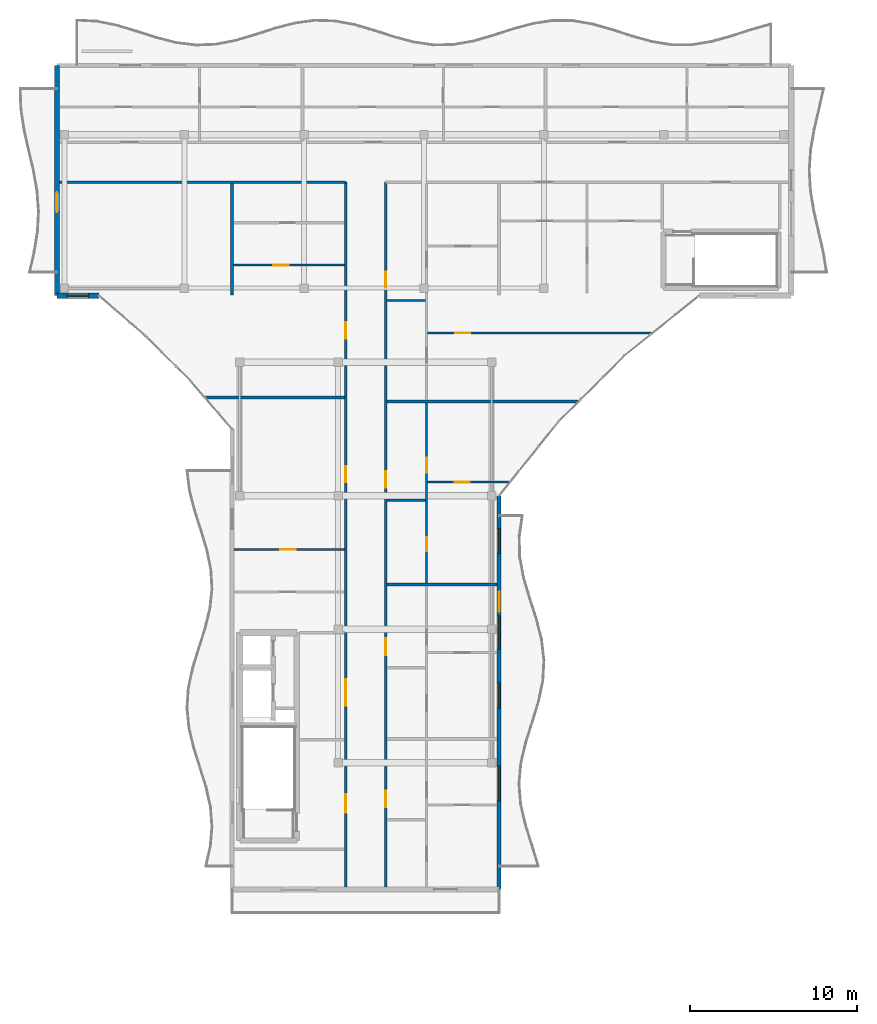
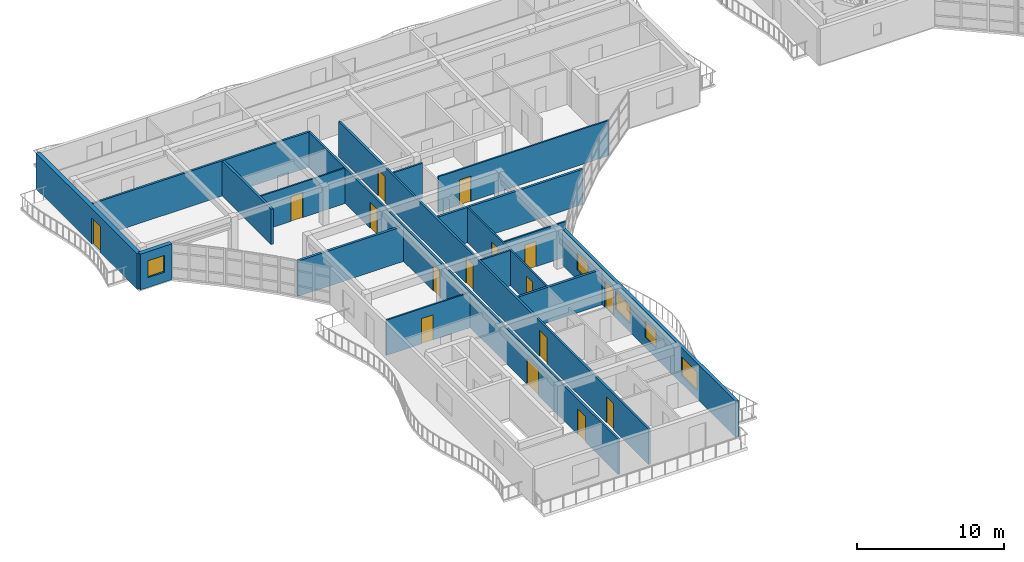
# One storey, part 16 of 30: 17 walls, 16 doors, 5 windows, 21 openings.
"""IFC4 building model written with IfcOpenShell, lengths in metres."""

from ifc_helpers import new_model, si_unit, direction, frame, frame_2d, origin, place, context, subcontext, project, spatial, rectangle, extrude, material, layer, layer_set, type_object, element, fill, save


model = new_model("IFC4")

# Units and contexts
model_context = context("Model", 3, precision=1e-05, world=origin(), true_north=direction((0.0, 1.0)))
body_context = subcontext(model_context, "Body", "Model", "MODEL_VIEW")
ifc_project = project(units=[si_unit("LENGTHUNIT", "METRE"), si_unit("AREAUNIT", "SQUARE_METRE"), si_unit("VOLUMEUNIT", "CUBIC_METRE"), si_unit("PLANEANGLEUNIT", "RADIAN"), si_unit("MASSUNIT", "GRAM", prefix="KILO")], contexts=[model_context])

# Site, building, storey
site_placement = place(None, origin())
site = spatial("IfcSite", under=ifc_project, at=site_placement, CompositionType="ELEMENT")
building_placement = place(site_placement, origin())
building = spatial("IfcBuilding", under=site, at=building_placement, Name="Keldmere Railside Commons", CompositionType="ELEMENT")
storey_placement = place(building_placement, frame((0.0, 0.0, 36.159912109375)))
storey = spatial("IfcBuildingStorey", under=building, at=storey_placement, Name="L11", CompositionType="ELEMENT", Elevation=36.159912109375)

# Walls
ifc_material_1 = material(Name="Acoustic Gypsum Board Partition", Category="gypsum")
ifc_layer_1 = layer(ifc_material_1, 0.179931640625, Name="Acoustic Demising Partition 180")
ifc_layer_set_1 = layer_set([ifc_layer_1], Name="Acoustic Gypsum Board Partition")
wall_type_1 = type_object("IfcWallType", Name="Acoustic Demising Partition 180", PredefinedType="PARTITIONING", material=ifc_layer_set_1)
wall_1_placement = place(storey_placement, frame((104.0, 100.050048828125, 0.0), z_axis=(0.0, 0.0, 1.0), x_axis=(0.0, 1.0, 0.0)))
element("IfcWall", 1, at=wall_1_placement, inside=storey, type_object=wall_type_1, Name="IW-1 IW-L11-1363", PredefinedType="PARTITIONING", context=body_context, shape_type="SweptSolid", body=[
    extrude(rectangle(XDim=6.669921875, YDim=0.179931640625, at=frame_2d((3.3349609375, 0.0))), origin(), (0.0, 0.0, 1.0), 2.93505859375),
])
wall_2_placement = place(storey_placement, frame((113.280029296875, 82.68994140625, 0.0), z_axis=(0.0, 0.0, 1.0), x_axis=(1.0, 0.0, 0.0)))
element("IfcWall", 2, at=wall_2_placement, inside=storey, type_object=wall_type_1, Name="IW-1 IW-L11-1367", PredefinedType="PARTITIONING", context=body_context, shape_type="SweptSolid", body=[
    extrude(rectangle(XDim=6.599853515625, YDim=0.179931640625, at=frame_2d((3.2998046875, 0.0))), origin(), (0.0, 0.0, 1.0), 2.93505859375),
])
wall_3_placement = place(storey_placement, frame((113.280029296875, 93.64990234375, 0.0), z_axis=(0.0, 0.0, 1.0), x_axis=(1.0, 0.0, 0.0)))
element("IfcWall", 3, at=wall_3_placement, inside=storey, type_object=wall_type_1, Name="IW-1 IW-L11-1368", PredefinedType="PARTITIONING", context=body_context, shape_type="SweptSolid", body=[
    extrude(rectangle(XDim=11.437255859375, YDim=0.179931640625, at=frame_2d((5.71875, 0.0))), origin(), (0.0, 0.0, 1.0), 2.93505859375),
])
wall_4_placement = place(storey_placement, frame((102.410888671875, 93.89990234375, 0.0), z_axis=(0.0, 0.0, 1.0), x_axis=(1.0, 0.0, 0.0)))
element("IfcWall", 4, at=wall_4_placement, inside=storey, type_object=wall_type_1, Name="IW-1 IW-L11-1396", PredefinedType="PARTITIONING", context=body_context, shape_type="SweptSolid", body=[
    extrude(rectangle(XDim=8.30908203125, YDim=0.179931640625, at=frame_2d((4.154541015625, 0.0))), origin(), (0.0, 0.0, 1.0), 2.93505859375),
])

# Wall, openings, doors
ifc_layer_2 = layer(ifc_material_1, 0.1201171875, Name="Apartment Interior Partition 120")
ifc_layer_set_2 = layer_set([ifc_layer_2], Name="Acoustic Gypsum Board Partition")
wall_type_2 = type_object("IfcWallType", Name="Apartment Interior Partition 120", PredefinedType="PARTITIONING", material=ifc_layer_set_2)
wall_5_placement = place(storey_placement, frame((115.659912109375, 82.780029296875, 0.0), z_axis=(0.0, 0.0, 1.0), x_axis=(0.0, 1.0, 0.0)))
wall_5 = element("IfcWall", 5, at=wall_5_placement, inside=storey, type_object=wall_type_2, Name="IW-4 IW-L11-1375", PredefinedType="PARTITIONING", context=body_context, shape_type="SweptSolid", body=[
    extrude(rectangle(XDim=10.780029296875, YDim=0.1201171875, at=frame_2d((5.39013671875, 0.0))), origin(), (0.0, 0.0, 1.0), 2.93505859375),
])
opening_1_placement = place(wall_5_placement, frame((1.884765625, 0.0, 0.0)))
opening_1 = element("IfcOpeningElement", 6, at=opening_1_placement, cuts=wall_5, Name="Opening ID-04", PredefinedType="OPENING", context=body_context, shape_type="SweptSolid", body=[
    extrude(rectangle(XDim=0.860107421875, YDim=2.10009765625, at=frame_2d((0.43017578125, 1.050048828125))), frame((0.0, 0.070068359375, 0.0), z_axis=(0.0, -1.0, 0.0), x_axis=(1.0, 0.0, 0.0)), (0.0, 0.0, 1.0), 0.14013671875),
])
opening_2_placement = place(wall_5_placement, frame((6.589599609375, 0.0, 0.0)))
opening_2 = element("IfcOpeningElement", 7, at=opening_2_placement, cuts=wall_5, Name="Opening ID-03", PredefinedType="OPENING", context=body_context, shape_type="SweptSolid", body=[
    extrude(rectangle(XDim=0.919921875, YDim=2.10009765625, at=frame_2d((0.4599609375, 1.050048828125))), frame((0.0, 0.070068359375, 0.0), z_axis=(0.0, -1.0, 0.0), x_axis=(1.0, 0.0, 0.0)), (0.0, 0.0, 1.0), 0.14013671875),
])
ifc_material_2 = material(Name="Engineered Oak Timber", Category="wood")
door_type_1 = type_object("IfcDoorType", Name="Apartment Bathroom Door 860x2100", OperationType="NOTDEFINED", PredefinedType="DOOR", material=ifc_material_2)
door_1_placement = place(opening_1_placement, origin())
door_1 = element("IfcDoor", 8, at=door_1_placement, inside=storey, type_object=door_type_1, Name="ID-04 IDR-L11-1226", OperationType="SINGLE_SWING_RIGHT", OverallHeight=2.10009765625, OverallWidth=0.860107421875, PredefinedType="DOOR", context=body_context, shape_type="SweptSolid", body=[
    extrude(rectangle(XDim=0.860107421875, YDim=2.10009765625, at=frame_2d((0.43017578125, 1.050048828125))), frame((0.0, 0.02490234375, 0.0), z_axis=(0.0, -1.0, 0.0), x_axis=(1.0, 0.0, 0.0)), (0.0, 0.0, 1.0), 0.050048828125),
])
fill(opening_1, door_1)
door_type_2 = type_object("IfcDoorType", Name="Kitchen Pocket-Frame Swing Door 920x2100", OperationType="NOTDEFINED", PredefinedType="DOOR", material=ifc_material_2)
door_2_placement = place(opening_2_placement, origin())
door_2 = element("IfcDoor", 9, at=door_2_placement, inside=storey, type_object=door_type_2, Name="ID-03 IDR-L11-1227", OperationType="SINGLE_SWING_LEFT", OverallHeight=2.10009765625, OverallWidth=0.919921875, PredefinedType="DOOR", context=body_context, shape_type="SweptSolid", body=[
    extrude(rectangle(XDim=0.919921875, YDim=2.10009765625, at=frame_2d((0.4599609375, 1.050048828125))), frame((0.0, 0.02490234375, 0.0), z_axis=(0.0, -1.0, 0.0), x_axis=(1.0, 0.0, 0.0)), (0.0, 0.0, 1.0), 0.050048828125),
])
fill(opening_2, door_2)

# Wall, opening, door
wall_6_placement = place(storey_placement, frame((115.719970703125, 88.820068359375, 0.0), z_axis=(0.0, 0.0, 1.0), x_axis=(1.0, 0.0, 0.0)))
wall_6 = element("IfcWall", 10, at=wall_6_placement, inside=storey, type_object=wall_type_2, Name="IW-4 IW-L11-1377", PredefinedType="PARTITIONING", context=body_context, shape_type="SweptSolid", body=[
    extrude(rectangle(XDim=4.88671875, YDim=0.1201171875, at=frame_2d((2.443359375, 0.0))), origin(), (0.0, 0.0, 1.0), 2.93505859375),
])
opening_3_placement = place(wall_6_placement, frame((1.6298828125, 0.0, 0.0)))
opening_3 = element("IfcOpeningElement", 11, at=opening_3_placement, cuts=wall_6, Name="Opening ID-01", PredefinedType="OPENING", context=body_context, shape_type="SweptSolid", body=[
    extrude(rectangle(XDim=0.89990234375, YDim=2.10009765625, at=frame_2d((0.449951171875, 1.050048828125))), frame((0.0, 0.070068359375, 0.0), z_axis=(0.0, -1.0, 0.0), x_axis=(1.0, 0.0, 0.0)), (0.0, 0.0, 1.0), 0.14013671875),
])
door_type_3 = type_object("IfcDoorType", Name="Primary Bedroom Door 900x2100", OperationType="NOTDEFINED", PredefinedType="DOOR", material=ifc_material_2)
door_3_placement = place(opening_3_placement, origin())
door_3 = element("IfcDoor", 12, at=door_3_placement, inside=storey, type_object=door_type_3, Name="ID-01 IDR-L11-1229", OperationType="SINGLE_SWING_LEFT", OverallHeight=2.10009765625, OverallWidth=0.89990234375, PredefinedType="DOOR", context=body_context, shape_type="SweptSolid", body=[
    extrude(rectangle(XDim=0.89990234375, YDim=2.10009765625, at=frame_2d((0.449951171875, 1.050048828125))), frame((0.0, 0.02490234375, 0.0), z_axis=(0.0, -1.0, 0.0), x_axis=(1.0, 0.0, 0.0)), (0.0, 0.0, 1.0), 0.050048828125),
])
fill(opening_3, door_3)

wall_7_placement = place(storey_placement, frame((115.719970703125, 97.760009765625, 0.0), z_axis=(0.0, 0.0, 1.0), x_axis=(1.0, 0.0, 0.0)))
wall_7 = element("IfcWall", 13, at=wall_7_placement, inside=storey, type_object=wall_type_2, Name="IW-4 IW-L11-1380", PredefinedType="PARTITIONING", context=body_context, shape_type="SweptSolid", body=[
    extrude(rectangle(XDim=13.424072265625, YDim=0.1201171875, at=frame_2d((6.7119140625, 0.0))), origin(), (0.0, 0.0, 1.0), 2.93505859375),
])
opening_4_placement = place(wall_7_placement, frame((1.64501953125, 0.0, 0.0)))
opening_4 = element("IfcOpeningElement", 14, at=opening_4_placement, cuts=wall_7, Name="Opening ID-01", PredefinedType="OPENING", context=body_context, shape_type="SweptSolid", body=[
    extrude(rectangle(XDim=0.89990234375, YDim=2.10009765625, at=frame_2d((0.449951171875, 1.050048828125))), frame((0.0, 0.070068359375, 0.0), z_axis=(0.0, -1.0, 0.0), x_axis=(1.0, 0.0, 0.0)), (0.0, 0.0, 1.0), 0.14013671875),
])
door_4_placement = place(opening_4_placement, origin())
door_4 = element("IfcDoor", 15, at=door_4_placement, inside=storey, type_object=door_type_3, Name="ID-01 IDR-L11-1233", OperationType="SINGLE_SWING_LEFT", OverallHeight=2.10009765625, OverallWidth=0.89990234375, PredefinedType="DOOR", context=body_context, shape_type="SweptSolid", body=[
    extrude(rectangle(XDim=0.89990234375, YDim=2.10009765625, at=frame_2d((0.449951171875, 1.050048828125))), frame((0.0, 0.02490234375, 0.0), z_axis=(0.0, -1.0, 0.0), x_axis=(1.0, 0.0, 0.0)), (0.0, 0.0, 1.0), 0.050048828125),
])
fill(opening_4, door_4)

wall_8_placement = place(storey_placement, frame((104.1201171875, 84.780029296875, 0.0), z_axis=(0.0, 0.0, 1.0), x_axis=(1.0, 0.0, 0.0)))
wall_8 = element("IfcWall", 16, at=wall_8_placement, inside=storey, type_object=wall_type_2, Name="IW-4 IW-L11-1398", PredefinedType="PARTITIONING", context=body_context, shape_type="SweptSolid", body=[
    extrude(rectangle(XDim=6.599853515625, YDim=0.1201171875, at=frame_2d((3.2998046875, 0.0))), origin(), (0.0, 0.0, 1.0), 2.93505859375),
])
opening_5_placement = place(wall_8_placement, frame((2.77197265625, 0.0, 0.0)))
opening_5 = element("IfcOpeningElement", 17, at=opening_5_placement, cuts=wall_8, Name="Opening ID-03", PredefinedType="OPENING", context=body_context, shape_type="SweptSolid", body=[
    extrude(rectangle(XDim=0.919921875, YDim=2.10009765625, at=frame_2d((0.4599609375, 1.050048828125))), frame((0.0, 0.070068359375, 0.0), z_axis=(0.0, -1.0, 0.0), x_axis=(1.0, 0.0, 0.0)), (0.0, 0.0, 1.0), 0.14013671875),
])
door_5_placement = place(opening_5_placement, origin())
door_5 = element("IfcDoor", 18, at=door_5_placement, inside=storey, type_object=door_type_2, Name="ID-03 IDR-L11-1252", OperationType="SINGLE_SWING_RIGHT", OverallHeight=2.10009765625, OverallWidth=0.919921875, PredefinedType="DOOR", context=body_context, shape_type="SweptSolid", body=[
    extrude(rectangle(XDim=0.919921875, YDim=2.10009765625, at=frame_2d((0.4599609375, 1.050048828125))), frame((0.0, 0.02490234375, 0.0), z_axis=(0.0, -1.0, 0.0), x_axis=(1.0, 0.0, 0.0)), (0.0, 0.0, 1.0), 0.050048828125),
])
fill(opening_5, door_5)

wall_9_placement = place(storey_placement, frame((104.090087890625, 101.820068359375, 0.0), z_axis=(0.0, 0.0, 1.0), x_axis=(1.0, 0.0, 0.0)))
wall_9 = element("IfcWall", 19, at=wall_9_placement, inside=storey, type_object=wall_type_2, Name="IW-4 IW-L11-1399", PredefinedType="PARTITIONING", context=body_context, shape_type="SweptSolid", body=[
    extrude(rectangle(XDim=6.6298828125, YDim=0.1201171875, at=frame_2d((3.31494140625, 0.0))), origin(), (0.0, 0.0, 1.0), 2.93505859375),
])
opening_6_placement = place(wall_9_placement, frame((2.384521484375, 0.0, 0.0)))
opening_6 = element("IfcOpeningElement", 20, at=opening_6_placement, cuts=wall_9, Name="Opening ID-03", PredefinedType="OPENING", context=body_context, shape_type="SweptSolid", body=[
    extrude(rectangle(XDim=0.919921875, YDim=2.10009765625, at=frame_2d((0.4599609375, 1.050048828125))), frame((0.0, 0.070068359375, 0.0), z_axis=(0.0, -1.0, 0.0), x_axis=(1.0, 0.0, 0.0)), (0.0, 0.0, 1.0), 0.14013671875),
])
door_6_placement = place(opening_6_placement, origin())
door_6 = element("IfcDoor", 21, at=door_6_placement, inside=storey, type_object=door_type_2, Name="ID-03 IDR-L11-1255", OperationType="SINGLE_SWING_LEFT", OverallHeight=2.10009765625, OverallWidth=0.919921875, PredefinedType="DOOR", context=body_context, shape_type="SweptSolid", body=[
    extrude(rectangle(XDim=0.919921875, YDim=2.10009765625, at=frame_2d((0.4599609375, 1.050048828125))), frame((0.0, 0.02490234375, 0.0), z_axis=(0.0, -1.0, 0.0), x_axis=(1.0, 0.0, 0.0)), (0.0, 0.0, 1.0), 0.050048828125),
])
fill(opening_6, door_6)

# Wall, openings, doors
ifc_layer_3 = layer(ifc_material_1, 0.159912109375, Name="Corridor Fire Partition 160")
ifc_layer_set_3 = layer_set([ifc_layer_3], Name="Acoustic Gypsum Board Partition")
wall_type_3 = type_object("IfcWallType", Name="Corridor Fire Partition 160", PredefinedType="PARTITIONING", material=ifc_layer_set_3)
wall_10_placement = place(storey_placement, frame((110.800048828125, 64.56005859375, 0.0), z_axis=(0.0, 0.0, 1.0), x_axis=(0.0, 1.0, 0.0)))
wall_10 = element("IfcWall", 22, at=wall_10_placement, inside=storey, type_object=wall_type_3, Name="IW-2 IW-L11-1357", PredefinedType="PARTITIONING", context=body_context, shape_type="SweptSolid", body=[
    extrude(rectangle(XDim=42.239990234375, YDim=0.159912109375, at=frame_2d((21.1201171875, 0.0))), origin(), (0.0, 0.0, 1.0), 2.93505859375),
])
opening_7_placement = place(wall_10_placement, frame((4.43994140625, 0.0, 0.0)))
opening_7 = element("IfcOpeningElement", 23, at=opening_7_placement, cuts=wall_10, Name="Opening FD-2", PredefinedType="OPENING", context=body_context, shape_type="SweptSolid", body=[
    extrude(rectangle(XDim=1.10009765625, YDim=2.14990234375, at=frame_2d((0.550048828125, 1.074951171875))), frame((0.0, 0.08984375, 0.0), z_axis=(0.0, -1.0, 0.0), x_axis=(1.0, 0.0, 0.0)), (0.0, 0.0, 1.0), 0.179931640625),
])
opening_8_placement = place(wall_10_placement, frame((10.840087890625, 0.0, 0.0)))
opening_8 = element("IfcOpeningElement", 24, at=opening_8_placement, cuts=wall_10, Name="Opening FD-4", PredefinedType="OPENING", context=body_context, shape_type="SweptSolid", body=[
    extrude(rectangle(XDim=1.60009765625, YDim=2.14990234375, at=frame_2d((0.800048828125, 1.074951171875))), frame((0.0, 0.08984375, 0.0), z_axis=(0.0, -1.0, 0.0), x_axis=(1.0, 0.0, 0.0)), (0.0, 0.0, 1.0), 0.179931640625),
])
opening_9_placement = place(wall_10_placement, frame((24.2451171875, 0.0, 0.0)))
opening_9 = element("IfcOpeningElement", 25, at=opening_9_placement, cuts=wall_10, Name="Opening FD-7", PredefinedType="OPENING", context=body_context, shape_type="SweptSolid", body=[
    extrude(rectangle(XDim=0.97998046875, YDim=2.14990234375, at=frame_2d((0.489990234375, 1.074951171875))), frame((0.0, 0.08984375, 0.0), z_axis=(0.0, -1.0, 0.0), x_axis=(1.0, 0.0, 0.0)), (0.0, 0.0, 1.0), 0.179931640625),
])
opening_10_placement = place(wall_10_placement, frame((32.85498046875, 0.0, 0.0)))
opening_10 = element("IfcOpeningElement", 26, at=opening_10_placement, cuts=wall_10, Name="Opening FD-7", PredefinedType="OPENING", context=body_context, shape_type="SweptSolid", body=[
    extrude(rectangle(XDim=0.97998046875, YDim=2.14990234375, at=frame_2d((0.489990234375, 1.074951171875))), frame((0.0, 0.08984375, 0.0), z_axis=(0.0, -1.0, 0.0), x_axis=(1.0, 0.0, 0.0)), (0.0, 0.0, 1.0), 0.179931640625),
])
door_type_4 = type_object("IfcDoorType", Name="Apartment Entrance Acoustic Fire Door 980x2150", OperationType="NOTDEFINED", PredefinedType="DOOR", material=ifc_material_2)
door_7_placement = place(opening_9_placement, origin())
door_7 = element("IfcDoor", 27, at=door_7_placement, inside=storey, type_object=door_type_4, Name="FD-7 IDR-L11-1253", OperationType="SINGLE_SWING_LEFT", OverallHeight=2.14990234375, OverallWidth=0.97998046875, PredefinedType="DOOR", context=body_context, shape_type="SweptSolid", body=[
    extrude(rectangle(XDim=0.97998046875, YDim=2.14990234375, at=frame_2d((0.489990234375, 1.074951171875))), frame((0.0, 0.02490234375, 0.0), z_axis=(0.0, -1.0, 0.0), x_axis=(1.0, 0.0, 0.0)), (0.0, 0.0, 1.0), 0.050048828125),
])
fill(opening_9, door_7)
door_8_placement = place(opening_10_placement, origin())
door_8 = element("IfcDoor", 28, at=door_8_placement, inside=storey, type_object=door_type_4, Name="FD-7 IDR-L11-1256", OperationType="SINGLE_SWING_RIGHT", OverallHeight=2.14990234375, OverallWidth=0.97998046875, PredefinedType="DOOR", context=body_context, shape_type="SweptSolid", body=[
    extrude(rectangle(XDim=0.97998046875, YDim=2.14990234375, at=frame_2d((0.489990234375, 1.074951171875))), frame((0.0, 0.02490234375, 0.0), z_axis=(0.0, -1.0, 0.0), x_axis=(1.0, 0.0, 0.0)), (0.0, 0.0, 1.0), 0.050048828125),
])
fill(opening_10, door_8)
ifc_material_3 = material(Name="Steel F-24 (S235)", Category="steel")
door_type_5 = type_object("IfcDoorType", Name="Corridor Cross-Compartment Double Fire Door 1600x2150", OperationType="DOUBLE_DOOR_SINGLE_SWING", PredefinedType="DOOR", material=ifc_material_3)
door_9_placement = place(opening_8_placement, origin())
door_9 = element("IfcDoor", 29, at=door_9_placement, inside=storey, type_object=door_type_5, Name="FD-4 IDR-L11-1217", OperationType="DOUBLE_DOOR_SINGLE_SWING", OverallHeight=2.14990234375, OverallWidth=1.60009765625, PredefinedType="DOOR", context=body_context, shape_type="SweptSolid", body=[
    extrude(rectangle(XDim=1.60009765625, YDim=2.14990234375, at=frame_2d((0.800048828125, 1.074951171875))), frame((0.0, 0.02490234375, 0.0), z_axis=(0.0, -1.0, 0.0), x_axis=(1.0, 0.0, 0.0)), (0.0, 0.0, 1.0), 0.050048828125),
])
fill(opening_8, door_9)
door_type_6 = type_object("IfcDoorType", Name="Firefighting Lobby Fire Door 1100x2150", OperationType="NOTDEFINED", PredefinedType="DOOR", material=ifc_material_3)
door_10_placement = place(opening_7_placement, origin())
door_10 = element("IfcDoor", 30, at=door_10_placement, inside=storey, type_object=door_type_6, Name="FD-2 IDR-L11-1216", OperationType="SINGLE_SWING_RIGHT", OverallHeight=2.14990234375, OverallWidth=1.10009765625, PredefinedType="DOOR", context=body_context, shape_type="SweptSolid", body=[
    extrude(rectangle(XDim=1.10009765625, YDim=2.14990234375, at=frame_2d((0.550048828125, 1.074951171875))), frame((0.0, 0.02490234375, 0.0), z_axis=(0.0, -1.0, 0.0), x_axis=(1.0, 0.0, 0.0)), (0.0, 0.0, 1.0), 0.050048828125),
])
fill(opening_7, door_10)

wall_11_placement = place(storey_placement, frame((113.199951171875, 64.56005859375, 0.0), z_axis=(0.0, 0.0, 1.0), x_axis=(0.0, 1.0, 0.0)))
wall_11 = element("IfcWall", 31, at=wall_11_placement, inside=storey, type_object=wall_type_3, Name="IW-2 IW-L11-1358", PredefinedType="PARTITIONING", context=body_context, shape_type="SweptSolid", body=[
    extrude(rectangle(XDim=42.239990234375, YDim=0.159912109375, at=frame_2d((21.1201171875, 0.0))), origin(), (0.0, 0.0, 1.0), 2.93505859375),
])
opening_11_placement = place(wall_11_placement, frame((4.780029296875, 0.0, 0.0)))
opening_11 = element("IfcOpeningElement", 32, at=opening_11_placement, cuts=wall_11, Name="Opening FD-7", PredefinedType="OPENING", context=body_context, shape_type="SweptSolid", body=[
    extrude(rectangle(XDim=0.97998046875, YDim=2.14990234375, at=frame_2d((0.489990234375, 1.074951171875))), frame((0.0, 0.08984375, 0.0), z_axis=(0.0, -1.0, 0.0), x_axis=(1.0, 0.0, 0.0)), (0.0, 0.0, 1.0), 0.179931640625),
])
opening_12_placement = place(wall_11_placement, frame((13.8798828125, 0.0, 0.0)))
opening_12 = element("IfcOpeningElement", 33, at=opening_12_placement, cuts=wall_11, Name="Opening FD-8", PredefinedType="OPENING", context=body_context, shape_type="SweptSolid", body=[
    extrude(rectangle(XDim=1.02001953125, YDim=2.14990234375, at=frame_2d((0.510009765625, 1.074951171875))), frame((0.0, 0.08984375, 0.0), z_axis=(0.0, -1.0, 0.0), x_axis=(1.0, 0.0, 0.0)), (0.0, 0.0, 1.0), 0.179931640625),
])
opening_13_placement = place(wall_11_placement, frame((23.929931640625, 0.0, 0.0)))
opening_13 = element("IfcOpeningElement", 34, at=opening_13_placement, cuts=wall_11, Name="Opening FD-7", PredefinedType="OPENING", context=body_context, shape_type="SweptSolid", body=[
    extrude(rectangle(XDim=0.97998046875, YDim=2.14990234375, at=frame_2d((0.489990234375, 1.074951171875))), frame((0.0, 0.08984375, 0.0), z_axis=(0.0, -1.0, 0.0), x_axis=(1.0, 0.0, 0.0)), (0.0, 0.0, 1.0), 0.179931640625),
])
opening_14_placement = place(wall_11_placement, frame((35.89990234375, 0.0, 0.0)))
opening_14 = element("IfcOpeningElement", 35, at=opening_14_placement, cuts=wall_11, Name="Opening FD-7", PredefinedType="OPENING", context=body_context, shape_type="SweptSolid", body=[
    extrude(rectangle(XDim=0.97998046875, YDim=2.14990234375, at=frame_2d((0.489990234375, 1.074951171875))), frame((0.0, 0.08984375, 0.0), z_axis=(0.0, -1.0, 0.0), x_axis=(1.0, 0.0, 0.0)), (0.0, 0.0, 1.0), 0.179931640625),
])
door_type_7 = type_object("IfcDoorType", Name="Adaptable Apartment Entrance Fire Door 1020x2150", OperationType="NOTDEFINED", PredefinedType="DOOR", material=ifc_material_2)
door_11_placement = place(opening_12_placement, origin())
door_11 = element("IfcDoor", 36, at=door_11_placement, inside=storey, type_object=door_type_7, Name="FD-8 IDR-L11-1224", OperationType="SINGLE_SWING_RIGHT", OverallHeight=2.14990234375, OverallWidth=1.02001953125, PredefinedType="DOOR", context=body_context, shape_type="SweptSolid", body=[
    extrude(rectangle(XDim=1.02001953125, YDim=2.14990234375, at=frame_2d((0.510009765625, 1.074951171875))), frame((0.0, 0.02490234375, 0.0), z_axis=(0.0, -1.0, 0.0), x_axis=(1.0, 0.0, 0.0)), (0.0, 0.0, 1.0), 0.050048828125),
])
fill(opening_12, door_11)
door_12_placement = place(opening_11_placement, origin())
door_12 = element("IfcDoor", 37, at=door_12_placement, inside=storey, type_object=door_type_4, Name="FD-7 IDR-L11-1220", OperationType="SINGLE_SWING_RIGHT", OverallHeight=2.14990234375, OverallWidth=0.97998046875, PredefinedType="DOOR", context=body_context, shape_type="SweptSolid", body=[
    extrude(rectangle(XDim=0.97998046875, YDim=2.14990234375, at=frame_2d((0.489990234375, 1.074951171875))), frame((0.0, 0.02490234375, 0.0), z_axis=(0.0, -1.0, 0.0), x_axis=(1.0, 0.0, 0.0)), (0.0, 0.0, 1.0), 0.050048828125),
])
fill(opening_11, door_12)
door_13_placement = place(opening_13_placement, origin())
door_13 = element("IfcDoor", 38, at=door_13_placement, inside=storey, type_object=door_type_4, Name="FD-7 IDR-L11-1228", OperationType="SINGLE_SWING_RIGHT", OverallHeight=2.14990234375, OverallWidth=0.97998046875, PredefinedType="DOOR", context=body_context, shape_type="SweptSolid", body=[
    extrude(rectangle(XDim=0.97998046875, YDim=2.14990234375, at=frame_2d((0.489990234375, 1.074951171875))), frame((0.0, 0.02490234375, 0.0), z_axis=(0.0, -1.0, 0.0), x_axis=(1.0, 0.0, 0.0)), (0.0, 0.0, 1.0), 0.050048828125),
])
fill(opening_13, door_13)
door_14_placement = place(opening_14_placement, origin())
door_14 = element("IfcDoor", 39, at=door_14_placement, inside=storey, type_object=door_type_4, Name="FD-7 IDR-L11-1232", OperationType="SINGLE_SWING_RIGHT", OverallHeight=2.14990234375, OverallWidth=0.97998046875, PredefinedType="DOOR", context=body_context, shape_type="SweptSolid", body=[
    extrude(rectangle(XDim=0.97998046875, YDim=2.14990234375, at=frame_2d((0.489990234375, 1.074951171875))), frame((0.0, 0.02490234375, 0.0), z_axis=(0.0, -1.0, 0.0), x_axis=(1.0, 0.0, 0.0)), (0.0, 0.0, 1.0), 0.050048828125),
])
fill(opening_14, door_14)

# Wall
wall_12_placement = place(storey_placement, frame((93.659912109375, 106.800048828125, 0.0), z_axis=(0.0, 0.0, 1.0), x_axis=(1.0, 0.0, 0.0)))
element("IfcWall", 40, at=wall_12_placement, inside=storey, type_object=wall_type_3, Name="IW-2 IW-L11-1359", PredefinedType="PARTITIONING", context=body_context, shape_type="SweptSolid", body=[
    extrude(rectangle(XDim=17.14013671875, YDim=0.159912109375, at=frame_2d((8.570068359375, 0.0))), origin(), (0.0, 0.0, 1.0), 2.93505859375),
])

# Wall, opening, door
ifc_material_4 = material(Name="Concrete H-35 (C35/45)", Category="concrete")
ifc_layer_4 = layer(ifc_material_4, 0.320068359375, Name="Exterior Shear Wall 320")
ifc_layer_set_4 = layer_set([ifc_layer_4], Name="Concrete H-35 (C35/45)")
wall_type_4 = type_object("IfcWallType", Name="Exterior Shear Wall 320", PredefinedType="SHEAR", material=ifc_layer_set_4)
wall_13_placement = place(storey_placement, frame((93.5, 100.0, 0.0), z_axis=(0.0, 0.0, 1.0), x_axis=(0.0, 1.0, 0.0)))
wall_13 = element("IfcWall", 41, at=wall_13_placement, inside=storey, type_object=wall_type_4, Name="ESW-2 EXTB-L11-0678", PredefinedType="SHEAR", context=body_context, shape_type="SweptSolid", body=[
    extrude(rectangle(XDim=13.800048828125, YDim=0.320068359375, at=frame_2d((6.89990234375, 0.0))), origin(), (0.0, 0.0, 1.0), 2.97998046875),
])
opening_15_placement = place(wall_13_placement, frame((5.0, 0.0, 0.0)))
opening_15 = element("IfcOpeningElement", 42, at=opening_15_placement, cuts=wall_13, Name="Opening BD-01", PredefinedType="OPENING", context=body_context, shape_type="SweptSolid", body=[
    extrude(rectangle(XDim=1.199951171875, YDim=2.199951171875, at=frame_2d((0.60009765625, 1.10009765625))), frame((0.0, 0.169921875, 0.0), z_axis=(0.0, -1.0, 0.0), x_axis=(1.0, 0.0, 0.0)), (0.0, 0.0, 1.0), 0.340087890625),
])
ifc_material_5 = material(Name="Thermally Broken Aluminium", Category="aluminium")
door_type_8 = type_object("IfcDoorType", Name="Apartment Living Wave-Balcony Glazed Door 1200x2200", OperationType="NOTDEFINED", PredefinedType="DOOR", material=ifc_material_5)
door_15_placement = place(opening_15_placement, origin())
door_15 = element("IfcDoor", 43, at=door_15_placement, inside=storey, type_object=door_type_8, Name="BD-01 DR-L11-0212", OperationType="SINGLE_SWING_RIGHT", OverallHeight=2.199951171875, OverallWidth=1.199951171875, PredefinedType="DOOR", context=body_context, shape_type="SweptSolid", body=[
    extrude(rectangle(XDim=1.199951171875, YDim=2.199951171875, at=frame_2d((0.60009765625, 1.10009765625))), frame((0.0, 0.02490234375, 0.0), z_axis=(0.0, -1.0, 0.0), x_axis=(1.0, 0.0, 0.0)), (0.0, 0.0, 1.0), 0.050048828125),
])
fill(opening_15, door_15)

# Wall, opening, window
wall_14_placement = place(storey_placement, frame((96.0, 100.0, 0.0), z_axis=(0.0, 0.0, 1.0), x_axis=(-1.0, 0.0, 0.0)))
wall_14 = element("IfcWall", 44, at=wall_14_placement, inside=storey, type_object=wall_type_4, Name="ESW-2 EXTB-L11-0679", PredefinedType="SHEAR", context=body_context, shape_type="SweptSolid", body=[
    extrude(rectangle(XDim=2.5, YDim=0.320068359375, at=frame_2d((1.25, 0.0))), origin(), (0.0, 0.0, 1.0), 2.97998046875),
])
opening_16_placement = place(wall_14_placement, frame((0.60009765625, 0.0, 0.820068359375)))
opening_16 = element("IfcOpeningElement", 45, at=opening_16_placement, cuts=wall_14, Name="Opening WN-10", PredefinedType="OPENING", context=body_context, shape_type="SweptSolid", body=[
    extrude(rectangle(XDim=1.300048828125, YDim=1.39990234375, at=frame_2d((0.64990234375, 0.699951171875))), frame((0.0, 0.169921875, 0.0), z_axis=(0.0, -1.0, 0.0), x_axis=(1.0, 0.0, 0.0)), (0.0, 0.0, 1.0), 0.340087890625),
])
ifc_material_6 = material(Name="Low-E Insulated Double Glazing", Category="glass")
window_type_1 = type_object("IfcWindowType", Name="Secondary Bedroom Court Window 1300x1400", PartitioningType="SINGLE_PANEL", PredefinedType="WINDOW", material=ifc_material_6)
window_1_placement = place(opening_16_placement, origin())
window_1 = element("IfcWindow", 46, at=window_1_placement, inside=storey, type_object=window_type_1, Name="WN-10 WIN-L11-0552", OverallHeight=1.39990234375, OverallWidth=1.300048828125, PartitioningType="SINGLE_PANEL", PredefinedType="WINDOW", context=body_context, shape_type="SweptSolid", body=[
    extrude(rectangle(XDim=1.300048828125, YDim=1.39990234375, at=frame_2d((0.64990234375, 0.699951171875))), frame((0.0, 0.030029296875, 0.0), z_axis=(0.0, -1.0, 0.0), x_axis=(1.0, 0.0, 0.0)), (0.0, 0.0, 1.0), 0.06005859375),
])
fill(opening_16, window_1)

# Wall, openings, door, windows
ifc_material_7 = material(Name="Architectural Precast Concrete H-35 (C35/45)", Category="concrete")
ifc_layer_5 = layer(ifc_material_7, 0.239990234375, Name="Sand-Ochre Precast Cavity Wall 240")
ifc_layer_set_5 = layer_set([ifc_layer_5], Name="Architectural Precast Concrete H-35 (C35/45)")
wall_type_5 = type_object("IfcWallType", Name="Sand-Ochre Precast Cavity Wall 240", PredefinedType="SOLIDWALL", material=ifc_layer_set_5)
wall_15_placement = place(storey_placement, frame((120.0, 88.0, 0.0), z_axis=(0.0, 0.0, 1.0), x_axis=(0.0, -1.0, 0.0)))
wall_15 = element("IfcWall", 47, at=wall_15_placement, inside=storey, type_object=wall_type_5, Name="EW-2 EXTB-L11-0674", PredefinedType="SOLIDWALL", context=body_context, shape_type="SweptSolid", body=[
    extrude(rectangle(XDim=23.60009765625, YDim=0.239990234375, at=frame_2d((11.800048828125, 0.0))), origin(), (0.0, 0.0, 1.0), 2.97998046875),
])
opening_17_placement = place(wall_15_placement, frame((5.75, 0.0, 0.0)))
opening_17 = element("IfcOpeningElement", 48, at=opening_17_placement, cuts=wall_15, Name="Opening BD-01", PredefinedType="OPENING", context=body_context, shape_type="SweptSolid", body=[
    extrude(rectangle(XDim=1.199951171875, YDim=2.199951171875, at=frame_2d((0.60009765625, 1.10009765625))), frame((0.0, 0.1298828125, 0.0), z_axis=(0.0, -1.0, 0.0), x_axis=(1.0, 0.0, 0.0)), (0.0, 0.0, 1.0), 0.260009765625),
])
opening_18_placement = place(wall_15_placement, frame((7.199951171875, 0.0, 0.719970703125)))
opening_18 = element("IfcOpeningElement", 49, at=opening_18_placement, cuts=wall_15, Name="Opening WN-02", PredefinedType="OPENING", context=body_context, shape_type="SweptSolid", body=[
    extrude(rectangle(XDim=2.0, YDim=1.5, at=frame_2d((1.0, 0.75))), frame((0.0, 0.1298828125, 0.0), z_axis=(0.0, -1.0, 0.0), x_axis=(1.0, 0.0, 0.0)), (0.0, 0.0, 1.0), 0.260009765625),
])
opening_19_placement = place(wall_15_placement, frame((16.199951171875, 0.0, 0.669921875)))
opening_19 = element("IfcOpeningElement", 50, at=opening_19_placement, cuts=wall_15, Name="Opening WN-11", PredefinedType="OPENING", context=body_context, shape_type="SweptSolid", body=[
    extrude(rectangle(XDim=2.10009765625, YDim=1.550048828125, at=frame_2d((1.050048828125, 0.77490234375))), frame((0.0, 0.1298828125, 0.0), z_axis=(0.0, -1.0, 0.0), x_axis=(1.0, 0.0, 0.0)), (0.0, 0.0, 1.0), 0.260009765625),
])
opening_20_placement = place(wall_15_placement, frame((11.22509765625, 0.0, 0.820068359375)))
opening_20 = element("IfcOpeningElement", 51, at=opening_20_placement, cuts=wall_15, Name="Opening WN-06", PredefinedType="OPENING", context=body_context, shape_type="SweptSolid", body=[
    extrude(rectangle(XDim=1.5, YDim=1.39990234375, at=frame_2d((0.75, 0.699951171875))), frame((0.0, 0.1298828125, 0.0), z_axis=(0.0, -1.0, 0.0), x_axis=(1.0, 0.0, 0.0)), (0.0, 0.0, 1.0), 0.260009765625),
])
opening_21_placement = place(wall_15_placement, frame((1.949951171875, 0.0, 0.820068359375)))
opening_21 = element("IfcOpeningElement", 52, at=opening_21_placement, cuts=wall_15, Name="Opening WN-06", PredefinedType="OPENING", context=body_context, shape_type="SweptSolid", body=[
    extrude(rectangle(XDim=1.5, YDim=1.39990234375, at=frame_2d((0.75, 0.699951171875))), frame((0.0, 0.1298828125, 0.0), z_axis=(0.0, -1.0, 0.0), x_axis=(1.0, 0.0, 0.0)), (0.0, 0.0, 1.0), 0.260009765625),
])
door_16_placement = place(opening_17_placement, origin())
door_16 = element("IfcDoor", 53, at=door_16_placement, inside=storey, type_object=door_type_8, Name="BD-01 DR-L11-0207", OperationType="SINGLE_SWING_LEFT", OverallHeight=2.199951171875, OverallWidth=1.199951171875, PredefinedType="DOOR", context=body_context, shape_type="SweptSolid", body=[
    extrude(rectangle(XDim=1.199951171875, YDim=2.199951171875, at=frame_2d((0.60009765625, 1.10009765625))), frame((0.0, 0.02490234375, 0.0), z_axis=(0.0, -1.0, 0.0), x_axis=(1.0, 0.0, 0.0)), (0.0, 0.0, 1.0), 0.050048828125),
])
fill(opening_17, door_16)
window_type_2 = type_object("IfcWindowType", Name="Living Room South Casement Window 2000x1500", PartitioningType="SINGLE_PANEL", PredefinedType="WINDOW", material=ifc_material_6)
window_2_placement = place(opening_18_placement, origin())
window_2 = element("IfcWindow", 54, at=window_2_placement, inside=storey, type_object=window_type_2, Name="WN-02 WIN-L11-0542", OverallHeight=1.5, OverallWidth=2.0, PartitioningType="SINGLE_PANEL", PredefinedType="WINDOW", context=body_context, shape_type="SweptSolid", body=[
    extrude(rectangle(XDim=2.0, YDim=1.5, at=frame_2d((1.0, 0.75))), frame((0.0, 0.030029296875, 0.0), z_axis=(0.0, -1.0, 0.0), x_axis=(1.0, 0.0, 0.0)), (0.0, 0.0, 1.0), 0.06005859375),
])
fill(opening_18, window_2)
window_type_3 = type_object("IfcWindowType", Name="Primary Bedroom North Window 1500x1400", PartitioningType="SINGLE_PANEL", PredefinedType="WINDOW", material=ifc_material_6)
window_3_placement = place(opening_20_placement, origin())
window_3 = element("IfcWindow", 55, at=window_3_placement, inside=storey, type_object=window_type_3, Name="WN-06 WIN-L11-9080", OverallHeight=1.39990234375, OverallWidth=1.5, PartitioningType="SINGLE_PANEL", PredefinedType="WINDOW", context=body_context, shape_type="SweptSolid", body=[
    extrude(rectangle(XDim=1.5, YDim=1.39990234375, at=frame_2d((0.75, 0.699951171875))), frame((0.0, 0.030029296875, 0.0), z_axis=(0.0, -1.0, 0.0), x_axis=(1.0, 0.0, 0.0)), (0.0, 0.0, 1.0), 0.06005859375),
])
fill(opening_20, window_3)
window_4_placement = place(opening_21_placement, origin())
window_4 = element("IfcWindow", 56, at=window_4_placement, inside=storey, type_object=window_type_3, Name="WN-06 WIN-L11-9081", OverallHeight=1.39990234375, OverallWidth=1.5, PartitioningType="SINGLE_PANEL", PredefinedType="WINDOW", context=body_context, shape_type="SweptSolid", body=[
    extrude(rectangle(XDim=1.5, YDim=1.39990234375, at=frame_2d((0.75, 0.699951171875))), frame((0.0, 0.030029296875, 0.0), z_axis=(0.0, -1.0, 0.0), x_axis=(1.0, 0.0, 0.0)), (0.0, 0.0, 1.0), 0.06005859375),
])
fill(opening_21, window_4)
window_type_4 = type_object("IfcWindowType", Name="Studio Wide Casement Window 2100x1550", PartitioningType="SINGLE_PANEL", PredefinedType="WINDOW", material=ifc_material_6)
window_5_placement = place(opening_19_placement, origin())
window_5 = element("IfcWindow", 57, at=window_5_placement, inside=storey, type_object=window_type_4, Name="WN-11 WIN-L11-0543", OverallHeight=1.550048828125, OverallWidth=2.10009765625, PartitioningType="SINGLE_PANEL", PredefinedType="WINDOW", context=body_context, shape_type="SweptSolid", body=[
    extrude(rectangle(XDim=2.10009765625, YDim=1.550048828125, at=frame_2d((1.050048828125, 0.77490234375))), frame((0.0, 0.030029296875, 0.0), z_axis=(0.0, -1.0, 0.0), x_axis=(1.0, 0.0, 0.0)), (0.0, 0.0, 1.0), 0.06005859375),
])
fill(opening_19, window_5)

# Walls
ifc_layer_6 = layer(ifc_material_1, 0.139892578125, Name="Wet-Room Sanitary Partition 140")
ifc_layer_set_6 = layer_set([ifc_layer_6], Name="Acoustic Gypsum Board Partition")
wall_type_6 = type_object("IfcWallType", Name="Wet-Room Sanitary Partition 140", PredefinedType="PARTITIONING", material=ifc_layer_set_6)
for number, where, z_axis, x_axis, name in (
    (58, (113.280029296875, 87.739990234375, 0.0), (0.0, 0.0, 1.0), (1.0, 0.0, 0.0), "IW-5 IW-L11-1376"),
    (59, (113.280029296875, 99.7099609375, 0.0), (0.0, 0.0, 1.0), (1.0, 0.0, 0.0), "IW-5 IW-L11-1379"),
):
    element("IfcWall", number, at=place(storey_placement, frame(where, z_axis=z_axis, x_axis=x_axis)), inside=storey, type_object=wall_type_6, Name=name, PredefinedType="PARTITIONING", context=body_context, shape_type="SweptSolid", body=[
        extrude(rectangle(XDim=2.320068359375, YDim=0.139892578125, at=frame_2d((1.16015625, 0.0))), origin(), (0.0, 0.0, 1.0), 2.93505859375),
    ])

save(model, "model.ifc")
